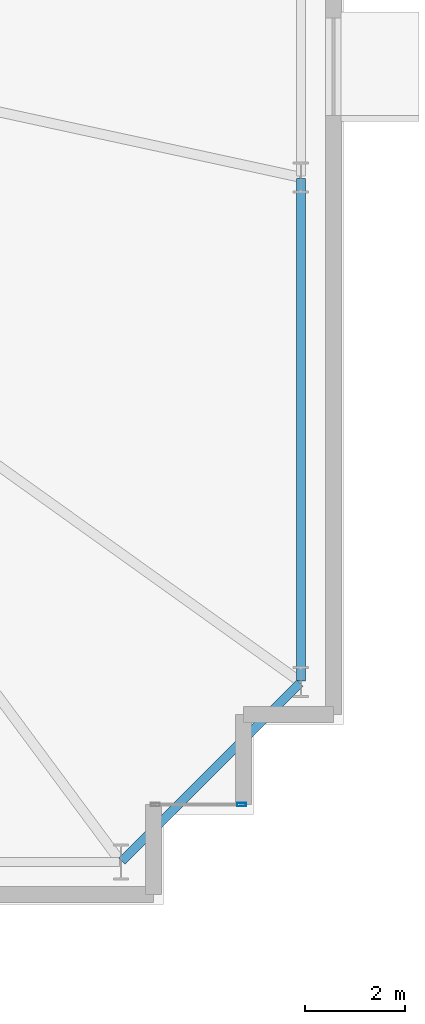
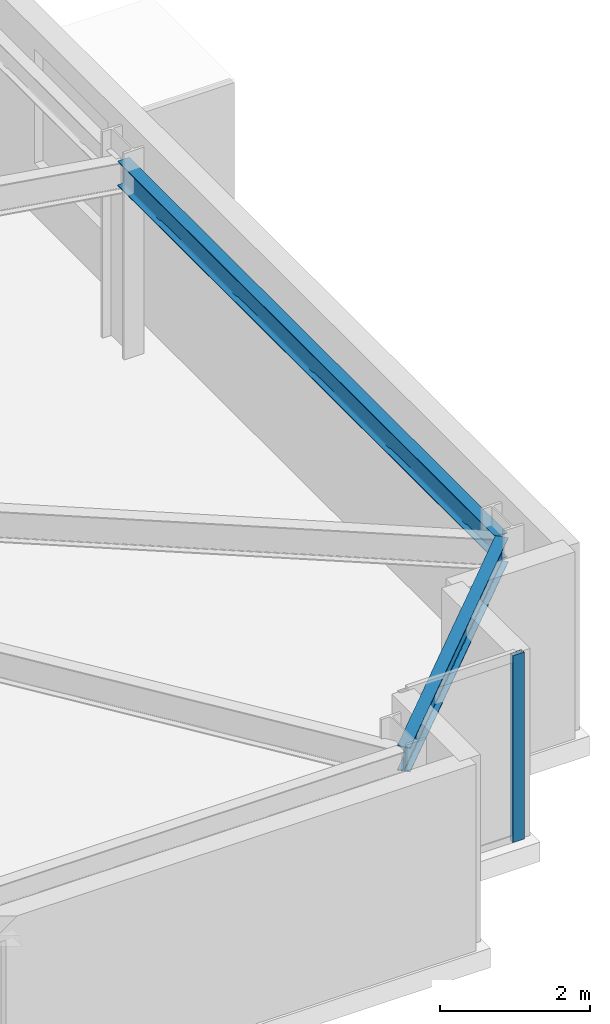
# One storey, part 10 of 22: 2 beams, 1 member, 1 element without a shape of its own.
"""IFC4 building model written with IfcOpenShell, lengths in metres."""

from ifc_helpers import new_model, si_unit, direction, frame, origin, origin_2d, place, context, subcontext, project, spatial, hollow_rectangle, i_section, extrude, material, layer, layer_set, material_profile, profile_set, type_object, element, aggregate, save


model = new_model("IFC4")

# Units and contexts
model_context = context("Model", 3, precision=1e-05, world=origin(), true_north=direction((0.0, 1.0)))
body_context = subcontext(model_context, "Body", "Model", "MODEL_VIEW")
ifc_project = project(units=[si_unit("LENGTHUNIT", "METRE"), si_unit("AREAUNIT", "SQUARE_METRE"), si_unit("VOLUMEUNIT", "CUBIC_METRE"), si_unit("PLANEANGLEUNIT", "RADIAN"), si_unit("MASSUNIT", "GRAM", prefix="KILO")], contexts=[model_context])

# Site, building, storey
site_placement = place(None, origin())
site = spatial("IfcSite", under=ifc_project, at=site_placement, CompositionType="ELEMENT")
building_placement = place(site_placement, origin())
building = spatial("IfcBuilding", under=site, at=building_placement, Name="Qobustan Lattice House", CompositionType="ELEMENT")
storey_placement = place(building_placement, frame((0.0, 0.0, 60.5)))
storey = spatial("IfcBuildingStorey", under=building, at=storey_placement, Name="L16", CompositionType="ELEMENT", Elevation=60.5)

# Beams
ifc_material_1 = material(Name="Steel S355", Category="steel")
ifc_material_profile_1 = material_profile(ifc_material_1, i_section(OverallWidth=0.179931640625, OverallDepth=0.39990234375, WebThickness=0.008544921875, FlangeThickness=0.013427734375, FilletRadius=0.02099609375, at=origin_2d()), Name="IPE400")
ifc_profile_set_1 = profile_set([ifc_material_profile_1], Name="Steel S355")
beam_type = type_object("IfcBeamType", Name="BM-SPD-IPE400", PredefinedType="SPANDREL", material=ifc_profile_set_1)
beam_1_placement = place(storey_placement, frame((28.567626953125, -18.732421875, 2.8349609375), z_axis=(0.707106781187, 0.707106781187, 0.0), x_axis=(-0.707106781187, 0.707106781187, 0.0)))
element("IfcBeam", 1, at=beam_1_placement, inside=storey, type_object=beam_type, Name="L16 perimeter spandrel S7-E1", PredefinedType="SPANDREL", context=body_context, shape_type="SweptSolid", body=[
    extrude(i_section(OverallWidth=0.179931640625, OverallDepth=0.39990234375, WebThickness=0.008544921875, FlangeThickness=0.013427734375, FilletRadius=0.02099609375, at=origin_2d()), origin(), (0.0, 0.0, 1.0), 5.041259765625),
])
beam_2_placement = place(storey_placement, frame((32.14990234375, -15.125, 2.8349609375), z_axis=(0.0, 1.0, 0.0), x_axis=(-1.0, 0.0, 0.0)))
element("IfcBeam", 2, at=beam_2_placement, inside=storey, type_object=beam_type, Name="L16 perimeter spandrel E1-E2", PredefinedType="SPANDREL", context=body_context, shape_type="SweptSolid", body=[
    extrude(i_section(OverallWidth=0.179931640625, OverallDepth=0.39990234375, WebThickness=0.008544921875, FlangeThickness=0.013427734375, FilletRadius=0.02099609375, at=origin_2d()), origin(), (0.0, 0.0, 1.0), 10.050048828125),
])

# Curtain wall, member
ifc_material_2 = material(Name="Anodised aluminium and low-E glazing", Category="aluminium")
ifc_layer = layer(ifc_material_2, 0.219970703125)
ifc_layer_set = layer_set([ifc_layer], Name="Anodised aluminium and low-E glazing")
curtain_wall_type = type_object("IfcCurtainWallType", Name="CW-FAC-01", PredefinedType="USERDEFINED", material=ifc_layer_set)
curtain_wall_placement = place(storey_placement, origin())
curtain_wall = element("IfcCurtainWall", 3, at=curtain_wall_placement, inside=storey, type_object=curtain_wall_type, Name="L16 serrated corner faceted glazing 18", ObjectType="CURTAIN WALL", PredefinedType="USERDEFINED")
ifc_material_3 = material(Name="Anodised aluminium EN AW-6063 T6", Category="aluminium")
ifc_material_profile_2 = material_profile(ifc_material_3, hollow_rectangle(XDim=0.070068359375, YDim=0.179931640625, WallThickness=0.00439453125, at=origin_2d()), Name="CWM-180x70")
ifc_profile_set_2 = profile_set([ifc_material_profile_2], Name="Anodised aluminium EN AW-6063 T6")
member_type = type_object("IfcMemberType", Name="CWM-STD-180", PredefinedType="MULLION", material=ifc_profile_set_2)
member_placement = place(storey_placement, frame((30.965087890625, -17.60009765625, 0.0), z_axis=(0.0, 0.0, 1.0), x_axis=(0.0, -1.0, 0.0)))
member = element("IfcMember", 4, at=member_placement, type_object=member_type, Name="CW-F1 mullion 1", PredefinedType="MULLION", context=body_context, shape_type="SweptSolid", body=[
    extrude(hollow_rectangle(XDim=0.070068359375, YDim=0.179931640625, WallThickness=0.00439453125, at=origin_2d()), origin(), (0.0, 0.0, 1.0), 3.034912109375),
])
aggregate(curtain_wall, [member])

save(model, "model.ifc")
